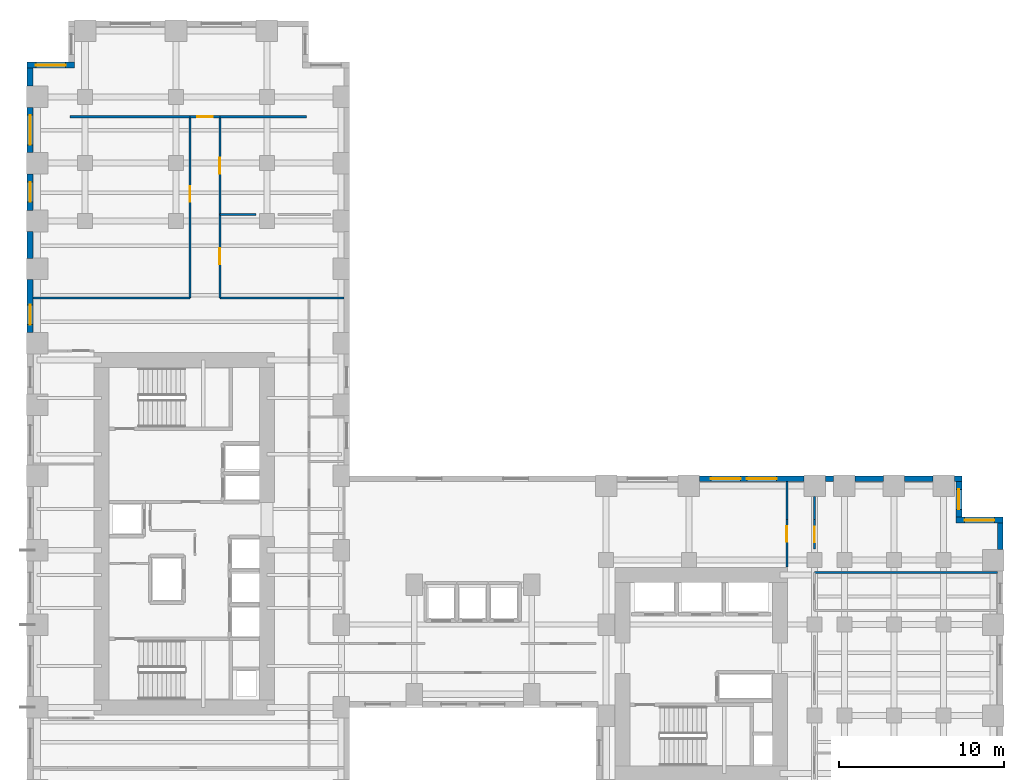
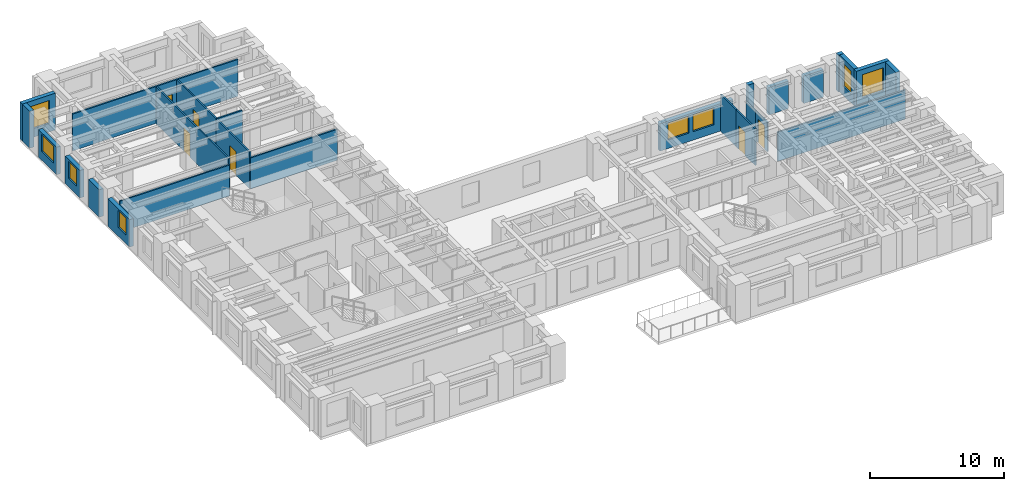
# One storey, part 8 of 12: 28 walls, 8 windows, 6 doors, 14 openings.
"""IFC4 building model written with IfcOpenShell, lengths in metres."""

from ifc_helpers import new_model, si_unit, direction, frame, frame_2d, origin, place, context, subcontext, project, spatial, rectangle, extrude, source, transform, mapped, material, layer, layer_set, type_object, element, fill, save


model = new_model("IFC4")

# Units and contexts
model_context = context("Model", 3, precision=1e-05, world=origin(), true_north=direction((0.0, 1.0)))
body_context = subcontext(model_context, "Body", "Model", "MODEL_VIEW")
ifc_project = project(units=[si_unit("LENGTHUNIT", "METRE"), si_unit("AREAUNIT", "SQUARE_METRE"), si_unit("VOLUMEUNIT", "CUBIC_METRE"), si_unit("PLANEANGLEUNIT", "RADIAN"), si_unit("MASSUNIT", "GRAM", prefix="KILO")], contexts=[model_context])

# Site, building, storey
site_placement = place(None, origin())
site = spatial("IfcSite", under=ifc_project, at=site_placement, CompositionType="ELEMENT")
building_placement = place(site_placement, origin())
building = spatial("IfcBuilding", under=site, at=building_placement, Name="Kharzan Plaza Tower", CompositionType="ELEMENT")
storey_placement = place(building_placement, frame((0.0, 0.0, 33.300048828125)))
storey = spatial("IfcBuildingStorey", under=building, at=storey_placement, Name="L08", CompositionType="ELEMENT", Elevation=33.300048828125)

# Wall, opening, window
ifc_material_1 = material(Name="Concrete C40/50", Category="concrete")
ifc_layer_1 = layer(ifc_material_1, 0.35009765625)
ifc_layer_set_1 = layer_set([ifc_layer_1], Name="Concrete C40/50")
wall_type_1 = type_object("IfcWallType", Name="WL-EXT-MAS-Z1", PredefinedType="SOLIDWALL", material=ifc_layer_set_1)
wall_1_placement = place(storey_placement, frame((2.85009765625, 47.324951171875, 0.0), z_axis=(0.0, 0.0, 1.0), x_axis=(-1.0, 0.0, 0.0)))
wall_1 = element("IfcWall", 1, at=wall_1_placement, inside=storey, type_object=wall_type_1, Name="L08 Masonry-Frame Exterior Wall 08", PredefinedType="SOLIDWALL", context=body_context, shape_type="SweptSolid", body=[
    extrude(rectangle(XDim=2.85009765625, YDim=0.35009765625, at=frame_2d((1.425048828125, 0.0))), origin(), (0.0, 0.0, 1.0), 3.364990234375),
])
opening_1_placement = place(wall_1_placement, frame((0.52490234375, 0.0, 0.780029296875)))
opening_1 = element("IfcOpeningElement", 2, at=opening_1_placement, cuts=wall_1, Name="Opening W1", PredefinedType="OPENING", context=body_context, shape_type="SweptSolid", body=[
    extrude(rectangle(XDim=1.800048828125, YDim=2.10009765625, at=frame_2d((0.89990234375, 1.050048828125))), frame((0.0, 0.18505859375, 0.0), z_axis=(0.0, -1.0, 0.0), x_axis=(1.0, 0.0, 0.0)), (0.0, 0.0, 1.0), 0.3701171875),
])
ifc_material_2 = material(Name="Low-E Double Glazing", Category="glass")
window_type_1 = type_object("IfcWindowType", Name="WN-REC-1800x2100", PartitioningType="SINGLE_PANEL", PredefinedType="WINDOW", material=ifc_material_2)
shared_shape_1 = source(origin(), body_context, "Body", "SweptSolid", [
    extrude(rectangle(XDim=1.800048828125, YDim=2.10009765625, at=frame_2d((0.89990234375, 1.050048828125))), frame((0.0, 0.030029296875, 0.0), z_axis=(0.0, -1.0, 0.0), x_axis=(1.0, 0.0, 0.0)), (0.0, 0.0, 1.0), 0.06005859375),
])
window_1_placement = place(opening_1_placement, origin())
window_1 = element("IfcWindow", 3, at=window_1_placement, inside=storey, type_object=window_type_1, Name="L08 Recessed Solar-Control Window 08-1", OverallHeight=2.10009765625, OverallWidth=1.800048828125, PartitioningType="SINGLE_PANEL", PredefinedType="WINDOW", context=body_context, shape_type="MappedRepresentation", body=[
    mapped(shared_shape_1, transform((0.0, 0.0, 0.0), x_axis=(1.0, 0.0, 0.0), y_axis=(0.0, 1.0, 0.0), z_axis=(0.0, 0.0, 1.0))),
])
fill(opening_1, window_1)

wall_2_placement = place(storey_placement, frame((0.175048828125, 44.751953125, 0.0), z_axis=(0.0, 0.0, 1.0), x_axis=(0.0, -1.0, 0.0)))
wall_2 = element("IfcWall", 4, at=wall_2_placement, inside=storey, type_object=wall_type_1, Name="L08 Masonry-Frame Exterior Wall 10", PredefinedType="SOLIDWALL", context=body_context, shape_type="SweptSolid", body=[
    extrude(rectangle(XDim=2.703857421875, YDim=0.35009765625, at=frame_2d((1.35205078125, 0.0))), origin(), (0.0, 0.0, 1.0), 2.510009765625),
])
opening_2_placement = place(wall_2_placement, frame((0.451904296875, 0.0, 0.780029296875)))
opening_2 = element("IfcOpeningElement", 5, at=opening_2_placement, cuts=wall_2, Name="Opening W1", PredefinedType="OPENING", context=body_context, shape_type="SweptSolid", body=[
    extrude(rectangle(XDim=1.800048828125, YDim=1.550048828125, at=frame_2d((0.89990234375, 0.77490234375))), frame((0.0, 0.18505859375, 0.0), z_axis=(0.0, -1.0, 0.0), x_axis=(1.0, 0.0, 0.0)), (0.0, 0.0, 1.0), 0.3701171875),
])
shared_shape_2 = source(origin(), body_context, "Body", "SweptSolid", [
    extrude(rectangle(XDim=1.800048828125, YDim=1.550048828125, at=frame_2d((0.89990234375, 0.77490234375))), frame((0.0, 0.030029296875, 0.0), z_axis=(0.0, -1.0, 0.0), x_axis=(1.0, 0.0, 0.0)), (0.0, 0.0, 1.0), 0.06005859375),
])
window_2_placement = place(opening_2_placement, origin())
window_2 = element("IfcWindow", 6, at=window_2_placement, inside=storey, type_object=window_type_1, Name="L08 Recessed Solar-Control Window 10-1", OverallHeight=1.550048828125, OverallWidth=1.800048828125, PartitioningType="SINGLE_PANEL", PredefinedType="WINDOW", context=body_context, shape_type="MappedRepresentation", body=[
    mapped(shared_shape_2, transform((0.0, 0.0, 0.0), x_axis=(1.0, 0.0, 0.0), y_axis=(0.0, 1.0, 0.0), z_axis=(0.0, 0.0, 1.0))),
])
fill(opening_2, window_2)

wall_3_placement = place(storey_placement, frame((0.175048828125, 40.751953125, 0.0), z_axis=(0.0, 0.0, 1.0), x_axis=(0.0, -1.0, 0.0)))
wall_3 = element("IfcWall", 7, at=wall_3_placement, inside=storey, type_object=wall_type_1, Name="L08 Masonry-Frame Exterior Wall 11", PredefinedType="SOLIDWALL", context=body_context, shape_type="SweptSolid", body=[
    extrude(rectangle(XDim=2.203857421875, YDim=0.35009765625, at=frame_2d((1.10205078125, 0.0))), origin(), (0.0, 0.0, 1.0), 2.510009765625),
])
opening_3_placement = place(wall_3_placement, frame((0.501953125, 0.0, 0.780029296875)))
opening_3 = element("IfcOpeningElement", 8, at=opening_3_placement, cuts=wall_3, Name="Opening W3", PredefinedType="OPENING", context=body_context, shape_type="SweptSolid", body=[
    extrude(rectangle(XDim=1.199951171875, YDim=1.550048828125, at=frame_2d((0.60009765625, 0.77490234375))), frame((0.0, 0.18505859375, 0.0), z_axis=(0.0, -1.0, 0.0), x_axis=(1.0, 0.0, 0.0)), (0.0, 0.0, 1.0), 0.3701171875),
])
window_type_2 = type_object("IfcWindowType", Name="WN-REC-1200x2100", PartitioningType="SINGLE_PANEL", PredefinedType="WINDOW", material=ifc_material_2)
shared_shape_3 = source(origin(), body_context, "Body", "SweptSolid", [
    extrude(rectangle(XDim=1.199951171875, YDim=1.550048828125, at=frame_2d((0.60009765625, 0.77490234375))), frame((0.0, 0.030029296875, 0.0), z_axis=(0.0, -1.0, 0.0), x_axis=(1.0, 0.0, 0.0)), (0.0, 0.0, 1.0), 0.06005859375),
])
window_3_placement = place(opening_3_placement, origin())
window_3 = element("IfcWindow", 9, at=window_3_placement, inside=storey, type_object=window_type_2, Name="L08 Recessed Solar-Control Window 11-1", OverallHeight=1.550048828125, OverallWidth=1.199951171875, PartitioningType="SINGLE_PANEL", PredefinedType="WINDOW", context=body_context, shape_type="MappedRepresentation", body=[
    mapped(shared_shape_3, transform((0.0, 0.0, 0.0), x_axis=(1.0, 0.0, 0.0), y_axis=(0.0, 1.0, 0.0), z_axis=(0.0, 0.0, 1.0))),
])
fill(opening_3, window_3)

wall_4_placement = place(storey_placement, frame((0.175048828125, 34.35205078125, 0.0), z_axis=(0.0, 0.0, 1.0), x_axis=(0.0, -1.0, 0.0)))
wall_4 = element("IfcWall", 10, at=wall_4_placement, inside=storey, type_object=wall_type_1, Name="L08 Masonry-Frame Exterior Wall 13", PredefinedType="SOLIDWALL", context=body_context, shape_type="SweptSolid", body=[
    extrude(rectangle(XDim=3.2041015625, YDim=0.35009765625, at=frame_2d((1.60205078125, 0.0))), origin(), (0.0, 0.0, 1.0), 2.510009765625),
])
opening_4_placement = place(wall_4_placement, frame((1.51806640625, 0.0, 0.780029296875)))
opening_4 = element("IfcOpeningElement", 11, at=opening_4_placement, cuts=wall_4, Name="Opening W3", PredefinedType="OPENING", context=body_context, shape_type="SweptSolid", body=[
    extrude(rectangle(XDim=1.199951171875, YDim=1.550048828125, at=frame_2d((0.60009765625, 0.77490234375))), frame((0.0, 0.18505859375, 0.0), z_axis=(0.0, -1.0, 0.0), x_axis=(1.0, 0.0, 0.0)), (0.0, 0.0, 1.0), 0.3701171875),
])
window_4_placement = place(opening_4_placement, origin())
window_4 = element("IfcWindow", 12, at=window_4_placement, inside=storey, type_object=window_type_2, Name="L08 Recessed Solar-Control Window 13-1", OverallHeight=1.550048828125, OverallWidth=1.199951171875, PartitioningType="SINGLE_PANEL", PredefinedType="WINDOW", context=body_context, shape_type="MappedRepresentation", body=[
    mapped(shared_shape_3, transform((0.0, 0.0, 0.0), x_axis=(1.0, 0.0, 0.0), y_axis=(0.0, 1.0, 0.0), z_axis=(0.0, 0.0, 1.0))),
])
fill(opening_4, window_4)

wall_5_placement = place(storey_placement, frame((59.0, 19.824951171875, 0.0), z_axis=(0.0, 0.0, 1.0), x_axis=(-1.0, 0.0, 0.0)))
wall_5 = element("IfcWall", 13, at=wall_5_placement, inside=storey, type_object=wall_type_1, Name="L08 Masonry-Frame Exterior Wall 45", PredefinedType="SOLIDWALL", context=body_context, shape_type="SweptSolid", body=[
    extrude(rectangle(XDim=2.85009765625, YDim=0.35009765625, at=frame_2d((1.425048828125, 0.0))), origin(), (0.0, 0.0, 1.0), 3.364990234375),
])
opening_5_placement = place(wall_5_placement, frame((0.52490234375, 0.0, 0.780029296875)))
opening_5 = element("IfcOpeningElement", 14, at=opening_5_placement, cuts=wall_5, Name="Opening W1", PredefinedType="OPENING", context=body_context, shape_type="SweptSolid", body=[
    extrude(rectangle(XDim=1.800048828125, YDim=2.10009765625, at=frame_2d((0.89990234375, 1.050048828125))), frame((0.0, 0.18505859375, 0.0), z_axis=(0.0, -1.0, 0.0), x_axis=(1.0, 0.0, 0.0)), (0.0, 0.0, 1.0), 0.3701171875),
])
window_5_placement = place(opening_5_placement, origin())
window_5 = element("IfcWindow", 15, at=window_5_placement, inside=storey, type_object=window_type_1, Name="L08 Recessed Solar-Control Window 45-1", OverallHeight=2.10009765625, OverallWidth=1.800048828125, PartitioningType="SINGLE_PANEL", PredefinedType="WINDOW", context=body_context, shape_type="MappedRepresentation", body=[
    mapped(shared_shape_1, transform((0.0, 0.0, 0.0), x_axis=(1.0, 0.0, 0.0), y_axis=(0.0, 1.0, 0.0), z_axis=(0.0, 0.0, 1.0))),
])
fill(opening_5, window_5)

wall_6_placement = place(storey_placement, frame((56.324951171875, 19.998046875, 0.0), z_axis=(0.0, 0.0, 1.0), x_axis=(0.0, 1.0, 0.0)))
wall_6 = element("IfcWall", 16, at=wall_6_placement, inside=storey, type_object=wall_type_1, Name="L08 Masonry-Frame Exterior Wall 46", PredefinedType="SOLIDWALL", context=body_context, shape_type="SweptSolid", body=[
    extrude(rectangle(XDim=2.154052734375, YDim=0.35009765625, at=frame_2d((1.0771484375, 0.0))), origin(), (0.0, 0.0, 1.0), 3.364990234375),
])
opening_6_placement = place(wall_6_placement, frame((0.47705078125, 0.0, 0.780029296875)))
opening_6 = element("IfcOpeningElement", 17, at=opening_6_placement, cuts=wall_6, Name="Opening W3", PredefinedType="OPENING", context=body_context, shape_type="SweptSolid", body=[
    extrude(rectangle(XDim=1.199951171875, YDim=2.10009765625, at=frame_2d((0.60009765625, 1.050048828125))), frame((0.0, 0.18505859375, 0.0), z_axis=(0.0, -1.0, 0.0), x_axis=(1.0, 0.0, 0.0)), (0.0, 0.0, 1.0), 0.3701171875),
])
shared_shape_4 = source(origin(), body_context, "Body", "SweptSolid", [
    extrude(rectangle(XDim=1.199951171875, YDim=2.10009765625, at=frame_2d((0.60009765625, 1.050048828125))), frame((0.0, 0.030029296875, 0.0), z_axis=(0.0, -1.0, 0.0), x_axis=(1.0, 0.0, 0.0)), (0.0, 0.0, 1.0), 0.06005859375),
])
window_6_placement = place(opening_6_placement, origin())
window_6 = element("IfcWindow", 18, at=window_6_placement, inside=storey, type_object=window_type_2, Name="L08 Recessed Solar-Control Window 46-1", OverallHeight=2.10009765625, OverallWidth=1.199951171875, PartitioningType="SINGLE_PANEL", PredefinedType="WINDOW", context=body_context, shape_type="MappedRepresentation", body=[
    mapped(shared_shape_4, transform((0.0, 0.0, 0.0), x_axis=(1.0, 0.0, 0.0), y_axis=(0.0, 1.0, 0.0), z_axis=(0.0, 0.0, 1.0))),
])
fill(opening_6, window_6)

# Wall, openings, windows
wall_7_placement = place(storey_placement, frame((46.951904296875, 22.324951171875, 0.0), z_axis=(0.0, 0.0, 1.0), x_axis=(-1.0, 0.0, 0.0)))
wall_7 = element("IfcWall", 19, at=wall_7_placement, inside=storey, type_object=wall_type_1, Name="L08 Masonry-Frame Exterior Wall 51", PredefinedType="SOLIDWALL", context=body_context, shape_type="SweptSolid", body=[
    extrude(rectangle(XDim=6.303955078125, YDim=0.35009765625, at=frame_2d((3.15185546875, 0.0))), origin(), (0.0, 0.0, 1.0), 2.510009765625),
])
opening_7_placement = place(wall_7_placement, frame((1.6494140625, 0.0, 0.780029296875)))
opening_7 = element("IfcOpeningElement", 20, at=opening_7_placement, cuts=wall_7, Name="Opening W1", PredefinedType="OPENING", context=body_context, shape_type="SweptSolid", body=[
    extrude(rectangle(XDim=1.800048828125, YDim=1.550048828125, at=frame_2d((0.89990234375, 0.77490234375))), frame((0.0, 0.18505859375, 0.0), z_axis=(0.0, -1.0, 0.0), x_axis=(1.0, 0.0, 0.0)), (0.0, 0.0, 1.0), 0.3701171875),
])
opening_8_placement = place(wall_7_placement, frame((3.816650390625, 0.0, 0.780029296875)))
opening_8 = element("IfcOpeningElement", 21, at=opening_8_placement, cuts=wall_7, Name="Opening W1", PredefinedType="OPENING", context=body_context, shape_type="SweptSolid", body=[
    extrude(rectangle(XDim=1.800048828125, YDim=1.550048828125, at=frame_2d((0.89990234375, 0.77490234375))), frame((0.0, 0.18505859375, 0.0), z_axis=(0.0, -1.0, 0.0), x_axis=(1.0, 0.0, 0.0)), (0.0, 0.0, 1.0), 0.3701171875),
])
window_7_placement = place(opening_7_placement, origin())
window_7 = element("IfcWindow", 22, at=window_7_placement, inside=storey, type_object=window_type_1, Name="L08 Recessed Solar-Control Window 51-1", OverallHeight=1.550048828125, OverallWidth=1.800048828125, PartitioningType="SINGLE_PANEL", PredefinedType="WINDOW", context=body_context, shape_type="MappedRepresentation", body=[
    mapped(shared_shape_2, transform((0.0, 0.0, 0.0), x_axis=(1.0, 0.0, 0.0), y_axis=(0.0, 1.0, 0.0), z_axis=(0.0, 0.0, 1.0))),
])
fill(opening_7, window_7)
window_8_placement = place(opening_8_placement, origin())
window_8 = element("IfcWindow", 23, at=window_8_placement, inside=storey, type_object=window_type_1, Name="L08 Recessed Solar-Control Window 51-2", OverallHeight=1.550048828125, OverallWidth=1.800048828125, PartitioningType="SINGLE_PANEL", PredefinedType="WINDOW", context=body_context, shape_type="MappedRepresentation", body=[
    mapped(shared_shape_2, transform((0.0, 0.0, 0.0), x_axis=(1.0, 0.0, 0.0), y_axis=(0.0, 1.0, 0.0), z_axis=(0.0, 0.0, 1.0))),
])
fill(opening_8, window_8)

# Wall, opening, door
ifc_material_3 = material(Name="Fire-Rated Gypsum Board Partition", Category="gypsum")
ifc_layer_2 = layer(ifc_material_3, 0.125)
ifc_layer_set_2 = layer_set([ifc_layer_2], Name="Fire-Rated Gypsum Board Partition")
wall_type_2 = type_object("IfcWallType", Name="WL-INT-PART-125", PredefinedType="PARTITIONING", material=ifc_layer_set_2)
wall_8_placement = place(storey_placement, frame((47.60009765625, 18.06005859375, 0.0), z_axis=(0.0, 0.0, 1.0), x_axis=(0.0, 1.0, 0.0)))
wall_8 = element("IfcWall", 24, at=wall_8_placement, inside=storey, type_object=wall_type_2, Name="L08 Interior Partition SH-B3W2", PredefinedType="PARTITIONING", context=body_context, shape_type="SweptSolid", body=[
    extrude(rectangle(XDim=1.7900390625, YDim=0.125, at=frame_2d((0.89501953125, 0.0))), origin(), (0.0, 0.0, 1.0), 2.669921875),
])
opening_9_placement = place(wall_8_placement, frame((0.419921875, 0.0, 0.0)))
opening_9 = element("IfcOpeningElement", 25, at=opening_9_placement, cuts=wall_8, Name="Opening OD1", PredefinedType="OPENING", context=body_context, shape_type="SweptSolid", body=[
    extrude(rectangle(XDim=0.949951171875, YDim=2.14990234375, at=frame_2d((0.47509765625, 1.074951171875))), frame((0.0, 0.072509765625, 0.0), z_axis=(0.0, -1.0, 0.0), x_axis=(1.0, 0.0, 0.0)), (0.0, 0.0, 1.0), 0.14501953125),
])
ifc_material_4 = material(Name="Acoustic Solid-Core Stained Oak", Category="timber")
door_type = type_object("IfcDoorType", Name="DR-OFF-SINGLE", OperationType="NOTDEFINED", PredefinedType="DOOR", material=ifc_material_4)
shared_shape_5 = source(origin(), body_context, "Body", "SweptSolid", [
    extrude(rectangle(XDim=0.949951171875, YDim=2.14990234375, at=frame_2d((0.47509765625, 1.074951171875))), frame((0.0, 0.02490234375, 0.0), z_axis=(0.0, -1.0, 0.0), x_axis=(1.0, 0.0, 0.0)), (0.0, 0.0, 1.0), 0.050048828125),
])
door_1_placement = place(opening_9_placement, origin())
door_1 = element("IfcDoor", 26, at=door_1_placement, inside=storey, type_object=door_type, Name="L08 Wing B Office 3 Door", OperationType="SINGLE_SWING_RIGHT", OverallHeight=2.14990234375, OverallWidth=0.949951171875, PredefinedType="DOOR", context=body_context, shape_type="MappedRepresentation", body=[
    mapped(shared_shape_5, transform((0.0, 0.0, 0.0), x_axis=(1.0, 0.0, 0.0), y_axis=(0.0, 1.0, 0.0), z_axis=(0.0, 0.0, 1.0))),
])
fill(opening_9, door_1)

wall_9_placement = place(storey_placement, frame((45.919921875, 16.97998046875, 0.0), z_axis=(0.0, 0.0, 1.0), x_axis=(0.0, 1.0, 0.0)))
wall_9 = element("IfcWall", 27, at=wall_9_placement, inside=storey, type_object=wall_type_2, Name="L08 Interior Partition SH-RBNE", PredefinedType="PARTITIONING", context=body_context, shape_type="SweptSolid", body=[
    extrude(rectangle(XDim=2.8701171875, YDim=0.125, at=frame_2d((1.43505859375, 0.0))), origin(), (0.0, 0.0, 1.0), 3.364990234375),
])
opening_10_placement = place(wall_9_placement, frame((1.51708984375, 0.0, 0.0)))
opening_10 = element("IfcOpeningElement", 28, at=opening_10_placement, cuts=wall_9, Name="Opening OD1", PredefinedType="OPENING", context=body_context, shape_type="SweptSolid", body=[
    extrude(rectangle(XDim=0.949951171875, YDim=2.14990234375, at=frame_2d((0.47509765625, 1.074951171875))), frame((0.0, 0.072509765625, 0.0), z_axis=(0.0, -1.0, 0.0), x_axis=(1.0, 0.0, 0.0)), (0.0, 0.0, 1.0), 0.14501953125),
])
door_2_placement = place(opening_10_placement, origin())
door_2 = element("IfcDoor", 29, at=door_2_placement, inside=storey, type_object=door_type, Name="L08 Wing B North Studio Door", OperationType="SINGLE_SWING_LEFT", OverallHeight=2.14990234375, OverallWidth=0.949951171875, PredefinedType="DOOR", context=body_context, shape_type="MappedRepresentation", body=[
    mapped(shared_shape_5, transform((0.0, 0.0, 0.0), x_axis=(1.0, 0.0, 0.0), y_axis=(0.0, 1.0, 0.0), z_axis=(0.0, 0.0, 1.0))),
])
fill(opening_10, door_2)

wall_10_placement = place(storey_placement, frame((11.64990234375, 33.25, 0.0), z_axis=(0.0, 0.0, 1.0), x_axis=(0.0, 1.0, 0.0)))
wall_10 = element("IfcWall", 30, at=wall_10_placement, inside=storey, type_object=wall_type_2, Name="L08 Interior Partition SH-SPE-1", PredefinedType="PARTITIONING", context=body_context, shape_type="SweptSolid", body=[
    extrude(rectangle(XDim=5.037109375, YDim=0.125, at=frame_2d((2.5185546875, 0.0))), origin(), (0.0, 0.0, 1.0), 3.364990234375),
])
opening_11_placement = place(wall_10_placement, frame((2.04345703125, 0.0, 0.0)))
opening_11 = element("IfcOpeningElement", 31, at=opening_11_placement, cuts=wall_10, Name="Opening OD1", PredefinedType="OPENING", context=body_context, shape_type="SweptSolid", body=[
    extrude(rectangle(XDim=0.949951171875, YDim=2.14990234375, at=frame_2d((0.47509765625, 1.074951171875))), frame((0.0, 0.072509765625, 0.0), z_axis=(0.0, -1.0, 0.0), x_axis=(1.0, 0.0, 0.0)), (0.0, 0.0, 1.0), 0.14501953125),
])
door_3_placement = place(opening_11_placement, origin())
door_3 = element("IfcDoor", 32, at=door_3_placement, inside=storey, type_object=door_type, Name="L08 Physiotherapy Treatment Room Door", OperationType="SINGLE_SWING_LEFT", OverallHeight=2.14990234375, OverallWidth=0.949951171875, PredefinedType="DOOR", context=body_context, shape_type="MappedRepresentation", body=[
    mapped(shared_shape_5, transform((0.0, 0.0, 0.0), x_axis=(1.0, 0.0, 0.0), y_axis=(0.0, 1.0, 0.0), z_axis=(0.0, 0.0, 1.0))),
])
fill(opening_11, door_3)

wall_11_placement = place(storey_placement, frame((11.64990234375, 38.287109375, 0.0), z_axis=(0.0, 0.0, 1.0), x_axis=(0.0, 1.0, 0.0)))
wall_11 = element("IfcWall", 33, at=wall_11_placement, inside=storey, type_object=wall_type_2, Name="L08 Interior Partition SH-SPE-2", PredefinedType="PARTITIONING", context=body_context, shape_type="SweptSolid", body=[
    extrude(rectangle(XDim=5.912841796875, YDim=0.125, at=frame_2d((2.95654296875, 0.0))), origin(), (0.0, 0.0, 1.0), 3.364990234375),
])
opening_12_placement = place(wall_11_placement, frame((2.4814453125, 0.0, 0.0)))
opening_12 = element("IfcOpeningElement", 34, at=opening_12_placement, cuts=wall_11, Name="Opening OD1", PredefinedType="OPENING", context=body_context, shape_type="SweptSolid", body=[
    extrude(rectangle(XDim=0.949951171875, YDim=2.14990234375, at=frame_2d((0.47509765625, 1.074951171875))), frame((0.0, 0.072509765625, 0.0), z_axis=(0.0, -1.0, 0.0), x_axis=(1.0, 0.0, 0.0)), (0.0, 0.0, 1.0), 0.14501953125),
])
door_4_placement = place(opening_12_placement, origin())
door_4 = element("IfcDoor", 35, at=door_4_placement, inside=storey, type_object=door_type, Name="L08 Occupational Health Treatment Room Door", OperationType="SINGLE_SWING_RIGHT", OverallHeight=2.14990234375, OverallWidth=0.949951171875, PredefinedType="DOOR", context=body_context, shape_type="MappedRepresentation", body=[
    mapped(shared_shape_5, transform((0.0, 0.0, 0.0), x_axis=(1.0, 0.0, 0.0), y_axis=(0.0, 1.0, 0.0), z_axis=(0.0, 0.0, 1.0))),
])
fill(opening_12, door_4)

wall_12_placement = place(storey_placement, frame((9.85009765625, 44.199951171875, 0.0), z_axis=(0.0, 0.0, 1.0), x_axis=(1.0, 0.0, 0.0)))
wall_12 = element("IfcWall", 36, at=wall_12_placement, inside=storey, type_object=wall_type_2, Name="L08 Interior Partition SH-SPHD", PredefinedType="PARTITIONING", context=body_context, shape_type="SweptSolid", body=[
    extrude(rectangle(XDim=1.7998046875, YDim=0.125, at=frame_2d((0.89990234375, 0.0))), origin(), (0.0, 0.0, 1.0), 3.364990234375),
])
opening_13_placement = place(wall_12_placement, frame((0.425048828125, 0.0, 0.0)))
opening_13 = element("IfcOpeningElement", 37, at=opening_13_placement, cuts=wall_12, Name="Opening OD1", PredefinedType="OPENING", context=body_context, shape_type="SweptSolid", body=[
    extrude(rectangle(XDim=0.949951171875, YDim=2.14990234375, at=frame_2d((0.47509765625, 1.074951171875))), frame((0.0, 0.072509765625, 0.0), z_axis=(0.0, -1.0, 0.0), x_axis=(1.0, 0.0, 0.0)), (0.0, 0.0, 1.0), 0.14501953125),
])
door_5_placement = place(opening_13_placement, origin())
door_5 = element("IfcDoor", 38, at=door_5_placement, inside=storey, type_object=door_type, Name="L08 North Boardroom Door", OperationType="SINGLE_SWING_LEFT", OverallHeight=2.14990234375, OverallWidth=0.949951171875, PredefinedType="DOOR", context=body_context, shape_type="MappedRepresentation", body=[
    mapped(shared_shape_5, transform((0.0, 0.0, 0.0), x_axis=(1.0, 0.0, 0.0), y_axis=(0.0, 1.0, 0.0), z_axis=(0.0, 0.0, 1.0))),
])
fill(opening_13, door_5)

wall_13_placement = place(storey_placement, frame((9.85009765625, 33.25, 0.0), z_axis=(0.0, 0.0, 1.0), x_axis=(0.0, 1.0, 0.0)))
wall_13 = element("IfcWall", 39, at=wall_13_placement, inside=storey, type_object=wall_type_2, Name="L08 Interior Partition SH-SPW-1", PredefinedType="PARTITIONING", context=body_context, shape_type="SweptSolid", body=[
    extrude(rectangle(XDim=10.949951171875, YDim=0.125, at=frame_2d((5.47509765625, 0.0))), origin(), (0.0, 0.0, 1.0), 3.364990234375),
])
opening_14_placement = place(wall_13_placement, frame((5.80322265625, 0.0, 0.0)))
opening_14 = element("IfcOpeningElement", 40, at=opening_14_placement, cuts=wall_13, Name="Opening OD1", PredefinedType="OPENING", context=body_context, shape_type="SweptSolid", body=[
    extrude(rectangle(XDim=0.949951171875, YDim=2.14990234375, at=frame_2d((0.47509765625, 1.074951171875))), frame((0.0, 0.072509765625, 0.0), z_axis=(0.0, -1.0, 0.0), x_axis=(1.0, 0.0, 0.0)), (0.0, 0.0, 1.0), 0.14501953125),
])
door_6_placement = place(opening_14_placement, origin())
door_6 = element("IfcDoor", 41, at=door_6_placement, inside=storey, type_object=door_type, Name="L08 Safety Briefing Room Door", OperationType="SINGLE_SWING_RIGHT", OverallHeight=2.14990234375, OverallWidth=0.949951171875, PredefinedType="DOOR", context=body_context, shape_type="MappedRepresentation", body=[
    mapped(shared_shape_5, transform((0.0, 0.0, 0.0), x_axis=(1.0, 0.0, 0.0), y_axis=(0.0, 1.0, 0.0), z_axis=(0.0, 0.0, 1.0))),
])
fill(opening_14, door_6)

# Walls
shared_shape_6 = source(origin(), body_context, "Body", "SweptSolid", [
    extrude(rectangle(XDim=1.10400390625, YDim=0.35009765625, at=frame_2d((0.552001953125, 0.0))), origin(), (0.0, 0.0, 1.0), 3.364990234375),
])
wall_14_placement = place(storey_placement, frame((0.175048828125, 47.152099609375, 0.0), z_axis=(0.0, 0.0, 1.0), x_axis=(0.0, -1.0, 0.0)))
element("IfcWall", 42, at=wall_14_placement, inside=storey, type_object=wall_type_1, Name="L08 Masonry-Frame Exterior Wall 09", PredefinedType="SOLIDWALL", context=body_context, shape_type="MappedRepresentation", body=[
    mapped(shared_shape_6, transform((0.0, 0.0, 0.0), x_axis=(1.0, 0.0, 0.0), y_axis=(0.0, 1.0, 0.0), z_axis=(0.0, 0.0, 1.0))),
])
shared_shape_7 = source(origin(), body_context, "Body", "SweptSolid", [
    extrude(rectangle(XDim=1.60400390625, YDim=0.35009765625, at=frame_2d((0.802001953125, 0.0))), origin(), (0.0, 0.0, 1.0), 2.510009765625),
])
wall_15_placement = place(storey_placement, frame((0.175048828125, 37.251953125, 0.0), z_axis=(0.0, 0.0, 1.0), x_axis=(0.0, -1.0, 0.0)))
element("IfcWall", 43, at=wall_15_placement, inside=storey, type_object=wall_type_1, Name="L08 Masonry-Frame Exterior Wall 12", PredefinedType="SOLIDWALL", context=body_context, shape_type="MappedRepresentation", body=[
    mapped(shared_shape_7, transform((0.0, 0.0, 0.0), x_axis=(1.0, 0.0, 0.0), y_axis=(0.0, 1.0, 0.0), z_axis=(0.0, 0.0, 1.0))),
])
shared_shape_8 = source(origin(), body_context, "Body", "SweptSolid", [
    extrude(rectangle(XDim=0.50390625, YDim=0.35009765625, at=frame_2d((0.251953125, 0.0))), origin(), (0.0, 0.0, 1.0), 3.364990234375),
])
wall_16_placement = place(storey_placement, frame((48.751953125, 22.324951171875, 0.0), z_axis=(0.0, 0.0, 1.0), x_axis=(-1.0, 0.0, 0.0)))
element("IfcWall", 44, at=wall_16_placement, inside=storey, type_object=wall_type_1, Name="L08 Masonry-Frame Exterior Wall 50", PredefinedType="SOLIDWALL", context=body_context, shape_type="MappedRepresentation", body=[
    mapped(shared_shape_8, transform((0.0, 0.0, 0.0), x_axis=(1.0, 0.0, 0.0), y_axis=(0.0, 1.0, 0.0), z_axis=(0.0, 0.0, 1.0))),
])
shared_shape_9 = source(origin(), body_context, "Body", "SweptSolid", [
    extrude(rectangle(XDim=1.703857421875, YDim=0.35009765625, at=frame_2d((0.85205078125, 0.0))), origin(), (0.0, 0.0, 1.0), 2.510009765625),
])
for number, where, z_axis, x_axis, name in (
    (45, (54.751953125, 22.324951171875, 0.0), (0.0, 0.0, 1.0), (-1.0, 0.0, 0.0), "L08 Masonry-Frame Exterior Wall 48"),
    (46, (51.751953125, 22.324951171875, 0.0), (0.0, 0.0, 1.0), (-1.0, 0.0, 0.0), "L08 Masonry-Frame Exterior Wall 49"),
):
    element("IfcWall", number, at=place(storey_placement, frame(where, z_axis=z_axis, x_axis=x_axis)), inside=storey, type_object=wall_type_1, Name=name, PredefinedType="SOLIDWALL", context=body_context, shape_type="MappedRepresentation", body=[
        mapped(shared_shape_9, transform((0.0, 0.0, 0.0), x_axis=(1.0, 0.0, 0.0), y_axis=(0.0, 1.0, 0.0), z_axis=(0.0, 0.0, 1.0))),
    ])
shared_shape_10 = source(origin(), body_context, "Body", "SweptSolid", [
    extrude(rectangle(XDim=0.451904296875, YDim=0.35009765625, at=frame_2d((0.22607421875, 0.0))), origin(), (0.0, 0.0, 1.0), 3.364990234375),
])
wall_17_placement = place(storey_placement, frame((56.5, 22.324951171875, 0.0), z_axis=(0.0, 0.0, 1.0), x_axis=(-1.0, 0.0, 0.0)))
element("IfcWall", 47, at=wall_17_placement, inside=storey, type_object=wall_type_1, Name="L08 Masonry-Frame Exterior Wall 47", PredefinedType="SOLIDWALL", context=body_context, shape_type="MappedRepresentation", body=[
    mapped(shared_shape_10, transform((0.0, 0.0, 0.0), x_axis=(1.0, 0.0, 0.0), y_axis=(0.0, 1.0, 0.0), z_axis=(0.0, 0.0, 1.0))),
])
shared_shape_11 = source(origin(), body_context, "Body", "SweptSolid", [
    extrude(rectangle(XDim=1.60400390625, YDim=0.35009765625, at=frame_2d((0.802001953125, 0.0))), origin(), (0.0, 0.0, 1.0), 3.364990234375),
])
wall_18_placement = place(storey_placement, frame((58.824951171875, 18.048095703125, 0.0), z_axis=(0.0, 0.0, 1.0), x_axis=(0.0, 1.0, 0.0)))
element("IfcWall", 48, at=wall_18_placement, inside=storey, type_object=wall_type_1, Name="L08 Masonry-Frame Exterior Wall 44", PredefinedType="SOLIDWALL", context=body_context, shape_type="MappedRepresentation", body=[
    mapped(shared_shape_11, transform((0.0, 0.0, 0.0), x_axis=(1.0, 0.0, 0.0), y_axis=(0.0, 1.0, 0.0), z_axis=(0.0, 0.0, 1.0))),
])
shared_shape_12 = source(origin(), body_context, "Body", "SweptSolid", [
    extrude(rectangle(XDim=1.389892578125, YDim=0.125, at=frame_2d((0.69482421875, 0.0))), origin(), (0.0, 0.0, 1.0), 2.669921875),
])
wall_19_placement = place(storey_placement, frame((47.60009765625, 19.85009765625, 0.0), z_axis=(0.0, 0.0, 1.0), x_axis=(0.0, 1.0, 0.0)))
element("IfcWall", 49, at=wall_19_placement, inside=storey, type_object=wall_type_2, Name="L08 Interior Partition SH-B3W2N", PredefinedType="PARTITIONING", context=body_context, shape_type="MappedRepresentation", body=[
    mapped(shared_shape_12, transform((0.0, 0.0, 0.0), x_axis=(1.0, 0.0, 0.0), y_axis=(0.0, 1.0, 0.0), z_axis=(0.0, 0.0, 1.0))),
])
shared_shape_13 = source(origin(), body_context, "Body", "SweptSolid", [
    extrude(rectangle(XDim=2.2978515625, YDim=0.125, at=frame_2d((1.14892578125, 0.0))), origin(), (0.0, 0.0, 1.0), 3.364990234375),
])
wall_20_placement = place(storey_placement, frame((45.919921875, 19.85009765625, 0.0), z_axis=(0.0, 0.0, 1.0), x_axis=(0.0, 1.0, 0.0)))
element("IfcWall", 50, at=wall_20_placement, inside=storey, type_object=wall_type_2, Name="L08 Interior Partition SH-RBNE0", PredefinedType="PARTITIONING", context=body_context, shape_type="MappedRepresentation", body=[
    mapped(shared_shape_13, transform((0.0, 0.0, 0.0), x_axis=(1.0, 0.0, 0.0), y_axis=(0.0, 1.0, 0.0), z_axis=(0.0, 0.0, 1.0))),
])
shared_shape_14 = source(origin(), body_context, "Body", "SweptSolid", [
    extrude(rectangle(XDim=11.0478515625, YDim=0.125, at=frame_2d((5.52392578125, 0.0))), origin(), (0.0, 0.0, 1.0), 2.669921875),
])
wall_21_placement = place(storey_placement, frame((47.60009765625, 16.64990234375, 0.0), z_axis=(0.0, 0.0, 1.0), x_axis=(1.0, 0.0, 0.0)))
element("IfcWall", 51, at=wall_21_placement, inside=storey, type_object=wall_type_2, Name="L08 Interior Partition SH-B3H-166", PredefinedType="PARTITIONING", context=body_context, shape_type="MappedRepresentation", body=[
    mapped(shared_shape_14, transform((0.0, 0.0, 0.0), x_axis=(1.0, 0.0, 0.0), y_axis=(0.0, 1.0, 0.0), z_axis=(0.0, 0.0, 1.0))),
])
shared_shape_15 = source(origin(), body_context, "Body", "SweptSolid", [
    extrude(rectangle(XDim=2.190185546875, YDim=0.125, at=frame_2d((1.09521484375, 0.0))), origin(), (0.0, 0.0, 1.0), 3.364990234375),
])
wall_22_placement = place(storey_placement, frame((11.64990234375, 38.287109375, 0.0), z_axis=(0.0, 0.0, 1.0), x_axis=(1.0, 0.0, 0.0)))
element("IfcWall", 52, at=wall_22_placement, inside=storey, type_object=wall_type_2, Name="L08 Interior Partition SH-NEH-1-S1", PredefinedType="PARTITIONING", context=body_context, shape_type="MappedRepresentation", body=[
    mapped(shared_shape_15, transform((0.0, 0.0, 0.0), x_axis=(1.0, 0.0, 0.0), y_axis=(0.0, 1.0, 0.0), z_axis=(0.0, 0.0, 1.0))),
])
shared_shape_16 = source(origin(), body_context, "Body", "SweptSolid", [
    extrude(rectangle(XDim=7.498046875, YDim=0.125, at=frame_2d((3.7490234375, 0.0))), origin(), (0.0, 0.0, 1.0), 2.827880859375),
])
wall_23_placement = place(storey_placement, frame((11.64990234375, 33.25, 0.0), z_axis=(0.0, 0.0, 1.0), x_axis=(1.0, 0.0, 0.0)))
element("IfcWall", 53, at=wall_23_placement, inside=storey, type_object=wall_type_2, Name="L08 Interior Partition SH-NNE", PredefinedType="PARTITIONING", context=body_context, shape_type="MappedRepresentation", body=[
    mapped(shared_shape_16, transform((0.0, 0.0, 0.0), x_axis=(1.0, 0.0, 0.0), y_axis=(0.0, 1.0, 0.0), z_axis=(0.0, 0.0, 1.0))),
])
shared_shape_17 = source(origin(), body_context, "Body", "SweptSolid", [
    extrude(rectangle(XDim=9.498046875, YDim=0.125, at=frame_2d((4.7490234375, 0.0))), origin(), (0.0, 0.0, 1.0), 2.827880859375),
])
wall_24_placement = place(storey_placement, frame((0.35205078125, 33.25, 0.0), z_axis=(0.0, 0.0, 1.0), x_axis=(1.0, 0.0, 0.0)))
element("IfcWall", 54, at=wall_24_placement, inside=storey, type_object=wall_type_2, Name="L08 Interior Partition SH-NNW", PredefinedType="PARTITIONING", context=body_context, shape_type="MappedRepresentation", body=[
    mapped(shared_shape_17, transform((0.0, 0.0, 0.0), x_axis=(1.0, 0.0, 0.0), y_axis=(0.0, 1.0, 0.0), z_axis=(0.0, 0.0, 1.0))),
])
shared_shape_18 = source(origin(), body_context, "Body", "SweptSolid", [
    extrude(rectangle(XDim=5.25, YDim=0.125, at=frame_2d((2.625, 0.0))), origin(), (0.0, 0.0, 1.0), 3.364990234375),
])
wall_25_placement = place(storey_placement, frame((11.64990234375, 44.199951171875, 0.0), z_axis=(0.0, 0.0, 1.0), x_axis=(1.0, 0.0, 0.0)))
element("IfcWall", 55, at=wall_25_placement, inside=storey, type_object=wall_type_2, Name="L08 Interior Partition SH-SPHE", PredefinedType="PARTITIONING", context=body_context, shape_type="MappedRepresentation", body=[
    mapped(shared_shape_18, transform((0.0, 0.0, 0.0), x_axis=(1.0, 0.0, 0.0), y_axis=(0.0, 1.0, 0.0), z_axis=(0.0, 0.0, 1.0))),
])
shared_shape_19 = source(origin(), body_context, "Body", "SweptSolid", [
    extrude(rectangle(XDim=7.25, YDim=0.125, at=frame_2d((3.625, 0.0))), origin(), (0.0, 0.0, 1.0), 3.364990234375),
])
wall_26_placement = place(storey_placement, frame((2.60009765625, 44.199951171875, 0.0), z_axis=(0.0, 0.0, 1.0), x_axis=(1.0, 0.0, 0.0)))
element("IfcWall", 56, at=wall_26_placement, inside=storey, type_object=wall_type_2, Name="L08 Interior Partition SH-SPHW", PredefinedType="PARTITIONING", context=body_context, shape_type="MappedRepresentation", body=[
    mapped(shared_shape_19, transform((0.0, 0.0, 0.0), x_axis=(1.0, 0.0, 0.0), y_axis=(0.0, 1.0, 0.0), z_axis=(0.0, 0.0, 1.0))),
])

save(model, "model.ifc")
